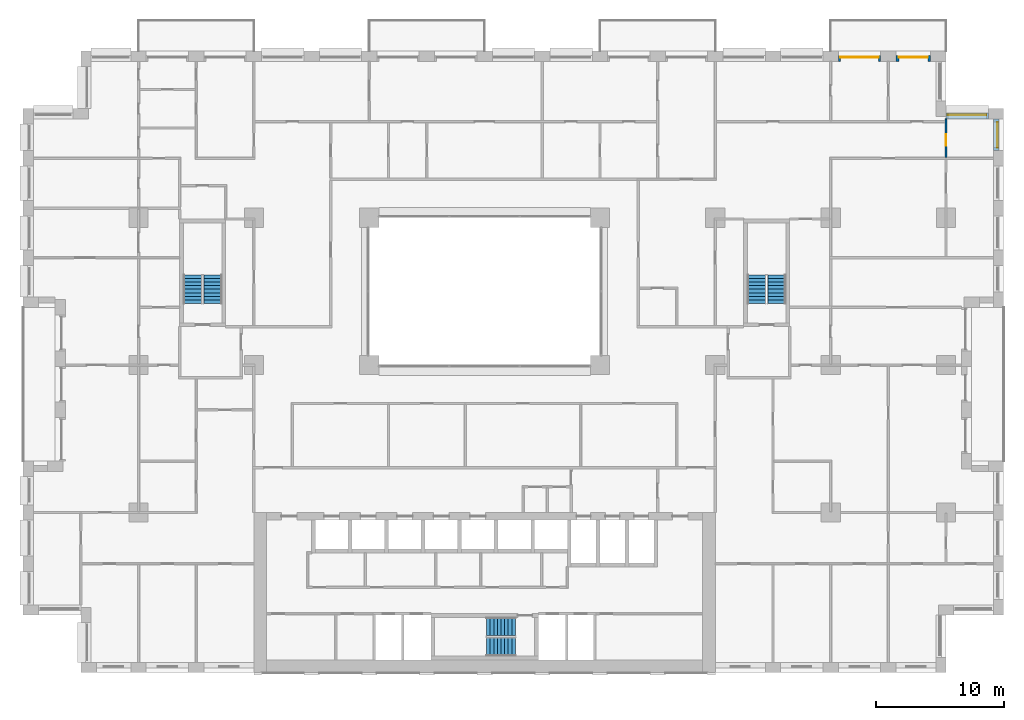
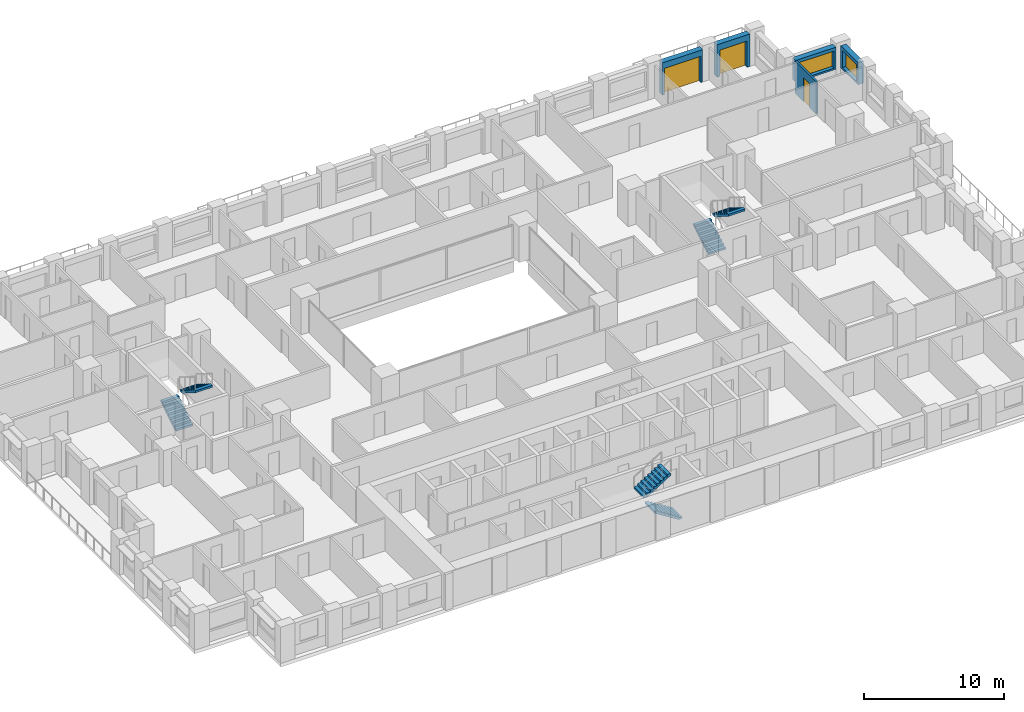
# One storey, part 17 of 19: 6 stair flights, 5 walls, 3 doors, 2 windows, 5 openings, 3 elements without a shape of their own.
"""IFC4 building model written with IfcOpenShell, lengths in metres."""

from ifc_helpers import new_model, si_unit, direction, frame, frame_2d, origin, place, context, subcontext, project, spatial, polyline, rectangle, outline, extrude, material, layer, layer_set, type_object, element, fill, aggregate, save


model = new_model("IFC4")

# Units and contexts
model_context = context("Model", 3, precision=1e-05, world=origin(), true_north=direction((0.0, 1.0)))
body_context = subcontext(model_context, "Body", "Model", "MODEL_VIEW")
ifc_project = project(units=[si_unit("LENGTHUNIT", "METRE"), si_unit("AREAUNIT", "SQUARE_METRE"), si_unit("VOLUMEUNIT", "CUBIC_METRE"), si_unit("PLANEANGLEUNIT", "RADIAN"), si_unit("MASSUNIT", "GRAM", prefix="KILO")], contexts=[model_context])

# Site, building, storey
site_placement = place(None, origin())
site = spatial("IfcSite", under=ifc_project, at=site_placement, CompositionType="ELEMENT")
building_placement = place(site_placement, origin())
building = spatial("IfcBuilding", under=site, at=building_placement, Name="Brigalow Station Residences", CompositionType="ELEMENT")
storey_placement = place(building_placement, frame((0.0, 0.0, 28.949951171875)))
storey = spatial("IfcBuildingStorey", under=building, at=storey_placement, Name="L07", CompositionType="ELEMENT", Elevation=28.949951171875)

# Wall, opening, window
ifc_material_1 = material(Name="Clay brick masonry", Category="masonry")
ifc_layer_1 = layer(ifc_material_1, 0.449951171875)
ifc_layer_set_1 = layer_set([ifc_layer_1], Name="BRICK INFILL WALL 450")
wall_type_1 = type_object("IfcWallType", Name="BRICK INFILL WALL 450", PredefinedType="SOLIDWALL", material=ifc_layer_set_1)
wall_1_placement = place(storey_placement, frame((75.925048828125, 40.72509765625, 0.900146484375), z_axis=(0.0, 0.0, 1.0), x_axis=(0.0, 1.0, 0.0)))
wall_1 = element("IfcWall", 1, at=wall_1_placement, inside=storey, type_object=wall_type_1, Name="L07/ewall/W-L07-22", PredefinedType="SOLIDWALL", context=body_context, shape_type="SweptSolid", body=[
    extrude(rectangle(XDim=2.474853515625, YDim=0.449951171875, at=frame_2d((1.2373046875, 0.0))), origin(), (0.0, 0.0, 1.0), 1.929931640625),
])
opening_1_placement = place(wall_1_placement, frame((0.237548828125, 0.0, 0.14990234375)))
opening_1 = element("IfcOpeningElement", 2, at=opening_1_placement, cuts=wall_1, Name="Opening WT-7", PredefinedType="OPENING", context=body_context, shape_type="SweptSolid", body=[
    extrude(rectangle(XDim=2.0, YDim=1.5, at=frame_2d((1.0, 0.75))), frame((0.0, 0.23486328125, 0.0), z_axis=(0.0, -1.0, 0.0), x_axis=(1.0, 0.0, 0.0)), (0.0, 0.0, 1.0), 0.469970703125),
])
ifc_material_2 = material(Name="Anodised aluminium frame with double glazing", Category="aluminium")
window_type_1 = type_object("IfcWindowType", Name="WINDOW 2000x1500", PartitioningType="SINGLE_PANEL", PredefinedType="WINDOW", material=ifc_material_2)
window_1_placement = place(opening_1_placement, origin())
window_1 = element("IfcWindow", 3, at=window_1_placement, inside=storey, type_object=window_type_1, Name="L07/window/W-L07-22", OverallHeight=1.5, OverallWidth=2.0, PartitioningType="SINGLE_PANEL", PredefinedType="WINDOW", context=body_context, shape_type="SweptSolid", body=[
    extrude(rectangle(XDim=2.0, YDim=1.5, at=frame_2d((1.0, 0.75))), frame((0.0, -0.06494140625, 0.0), z_axis=(0.0, -1.0, 0.0), x_axis=(1.0, 0.0, 0.0)), (0.0, 0.0, 1.0), 0.06005859375),
])
fill(opening_1, window_1)

wall_2_placement = place(storey_placement, frame((75.300048828125, 43.425048828125, 0.900146484375), z_axis=(0.0, 0.0, 1.0), x_axis=(-1.0, 0.0, 0.0)))
wall_2 = element("IfcWall", 4, at=wall_2_placement, inside=storey, type_object=wall_type_1, Name="L07/ewall/W-L07-23", PredefinedType="SOLIDWALL", context=body_context, shape_type="SweptSolid", body=[
    extrude(rectangle(XDim=3.300048828125, YDim=0.449951171875, at=frame_2d((1.64990234375, 0.0))), origin(), (0.0, 0.0, 1.0), 1.929931640625),
])
opening_2_placement = place(wall_2_placement, frame((0.14990234375, 0.0, 0.14990234375)))
opening_2 = element("IfcOpeningElement", 5, at=opening_2_placement, cuts=wall_2, Name="Opening WT-2", PredefinedType="OPENING", context=body_context, shape_type="SweptSolid", body=[
    extrude(rectangle(XDim=3.0, YDim=1.5, at=frame_2d((1.5, 0.75))), frame((0.0, 0.23486328125, 0.0), z_axis=(0.0, -1.0, 0.0), x_axis=(1.0, 0.0, 0.0)), (0.0, 0.0, 1.0), 0.469970703125),
])
ifc_material_3 = material(Name="Anodised aluminium frame with double glazing", Category="aluminium")
window_type_2 = type_object("IfcWindowType", Name="WINDOW 3000x1500", PartitioningType="SINGLE_PANEL", PredefinedType="WINDOW", material=ifc_material_3)
window_2_placement = place(opening_2_placement, origin())
window_2 = element("IfcWindow", 6, at=window_2_placement, inside=storey, type_object=window_type_2, Name="L07/window/W-L07-23", OverallHeight=1.5, OverallWidth=3.0, PartitioningType="SINGLE_PANEL", PredefinedType="WINDOW", context=body_context, shape_type="SweptSolid", body=[
    extrude(rectangle(XDim=3.0, YDim=1.5, at=frame_2d((1.5, 0.75))), frame((0.0, -0.06494140625, 0.0), z_axis=(0.0, -1.0, 0.0), x_axis=(1.0, 0.0, 0.0)), (0.0, 0.0, 1.0), 0.06005859375),
])
fill(opening_2, window_2)

# Wall, opening, door
wall_3_placement = place(storey_placement, frame((70.800048828125, 47.925048828125, 0.0), z_axis=(0.0, 0.0, 1.0), x_axis=(-1.0, 0.0, 0.0)))
wall_3 = element("IfcWall", 7, at=wall_3_placement, inside=storey, type_object=wall_type_1, Name="L07/ewall/W-L07-25", PredefinedType="SOLIDWALL", context=body_context, shape_type="SweptSolid", body=[
    extrude(rectangle(XDim=2.699951171875, YDim=0.449951171875, at=frame_2d((1.35009765625, 0.0))), origin(), (0.0, 0.0, 1.0), 2.830078125),
])
opening_3_placement = place(wall_3_placement, frame((0.22509765625, 0.0, 0.0)))
opening_3 = element("IfcOpeningElement", 8, at=opening_3_placement, cuts=wall_3, Name="Opening D-B2250", PredefinedType="OPENING", context=body_context, shape_type="SweptSolid", body=[
    extrude(rectangle(XDim=2.25, YDim=2.300048828125, at=frame_2d((1.125, 1.14990234375))), frame((0.0, 0.23486328125, 0.0), z_axis=(0.0, -1.0, 0.0), x_axis=(1.0, 0.0, 0.0)), (0.0, 0.0, 1.0), 0.469970703125),
])
ifc_material_4 = material(Name="Anodised aluminium frame with double glazing", Category="aluminium")
door_type_1 = type_object("IfcDoorType", Name="BALCONY SLIDING DOOR 2250x2300", OperationType="SLIDING_TO_LEFT", PredefinedType="DOOR", material=ifc_material_4)
door_1_placement = place(opening_3_placement, origin())
door_1 = element("IfcDoor", 9, at=door_1_placement, inside=storey, type_object=door_type_1, Name="L07/balcony-door/W-L07-25", OperationType="SLIDING_TO_LEFT", OverallHeight=2.300048828125, OverallWidth=2.25, PredefinedType="DOOR", context=body_context, shape_type="SweptSolid", body=[
    extrude(rectangle(XDim=2.25, YDim=2.300048828125, at=frame_2d((1.125, 1.14990234375))), frame((0.0, -0.06982421875, 0.0), z_axis=(0.0, -1.0, 0.0), x_axis=(1.0, 0.0, 0.0)), (0.0, 0.0, 1.0), 0.050048828125),
])
fill(opening_3, door_1)

wall_4_placement = place(storey_placement, frame((66.89990234375, 47.925048828125, 0.0), z_axis=(0.0, 0.0, 1.0), x_axis=(-1.0, 0.0, 0.0)))
wall_4 = element("IfcWall", 10, at=wall_4_placement, inside=storey, type_object=wall_type_1, Name="L07/ewall/W-L07-26", PredefinedType="SOLIDWALL", context=body_context, shape_type="SweptSolid", body=[
    extrude(rectangle(XDim=3.2998046875, YDim=0.449951171875, at=frame_2d((1.64990234375, 0.0))), origin(), (0.0, 0.0, 1.0), 2.830078125),
])
opening_4_placement = place(wall_4_placement, frame((0.14990234375, 0.0, 0.0)))
opening_4 = element("IfcOpeningElement", 11, at=opening_4_placement, cuts=wall_4, Name="Opening D-B3000", PredefinedType="OPENING", context=body_context, shape_type="SweptSolid", body=[
    extrude(rectangle(XDim=3.0, YDim=2.300048828125, at=frame_2d((1.5, 1.14990234375))), frame((0.0, 0.23486328125, 0.0), z_axis=(0.0, -1.0, 0.0), x_axis=(1.0, 0.0, 0.0)), (0.0, 0.0, 1.0), 0.469970703125),
])
ifc_material_5 = material(Name="Anodised aluminium frame with double glazing", Category="aluminium")
door_type_2 = type_object("IfcDoorType", Name="BALCONY SLIDING DOOR 3000x2300", OperationType="SLIDING_TO_LEFT", PredefinedType="DOOR", material=ifc_material_5)
door_2_placement = place(opening_4_placement, origin())
door_2 = element("IfcDoor", 12, at=door_2_placement, inside=storey, type_object=door_type_2, Name="L07/balcony-door/W-L07-26", OperationType="SLIDING_TO_LEFT", OverallHeight=2.300048828125, OverallWidth=3.0, PredefinedType="DOOR", context=body_context, shape_type="SweptSolid", body=[
    extrude(rectangle(XDim=3.0, YDim=2.300048828125, at=frame_2d((1.5, 1.14990234375))), frame((0.0, -0.06982421875, 0.0), z_axis=(0.0, -1.0, 0.0), x_axis=(1.0, 0.0, 0.0)), (0.0, 0.0, 1.0), 0.050048828125),
])
fill(opening_4, door_2)

ifc_material_6 = material(Name="Plasterboard on steel stud partition", Category="steel")
ifc_layer_2 = layer(ifc_material_6, 0.14990234375)
ifc_layer_set_2 = layer_set([ifc_layer_2], Name="FLAT PARTITION 150")
wall_type_2 = type_object("IfcWallType", Name="FLAT PARTITION 150", PredefinedType="PARTITIONING", material=ifc_layer_set_2)
wall_5_placement = place(storey_placement, frame((72.0, 40.199951171875, 0.0), z_axis=(0.0, 0.0, 1.0), x_axis=(0.0, 1.0, 0.0)))
wall_5 = element("IfcWall", 13, at=wall_5_placement, inside=storey, type_object=wall_type_2, Name="PW-1B76", PredefinedType="PARTITIONING", context=body_context, shape_type="SweptSolid", body=[
    extrude(rectangle(XDim=3.0, YDim=0.14990234375, at=frame_2d((1.5, 0.0))), origin(), (0.0, 0.0, 1.0), 2.830078125),
])
opening_5_placement = place(wall_5_placement, frame((0.912109375, 0.0, 0.0)))
opening_5 = element("IfcOpeningElement", 14, at=opening_5_placement, cuts=wall_5, Name="Opening D-1B46", PredefinedType="OPENING", context=body_context, shape_type="SweptSolid", body=[
    extrude(rectangle(XDim=0.89990234375, YDim=2.10009765625, at=frame_2d((0.449951171875, 1.050048828125))), frame((0.0, 0.0849609375, 0.0), z_axis=(0.0, -1.0, 0.0), x_axis=(1.0, 0.0, 0.0)), (0.0, 0.0, 1.0), 0.169921875),
])
ifc_material_7 = material(Name="Solid-core timber door leaf", Category="wood")
door_type_3 = type_object("IfcDoorType", Name="INTERNAL DOOR 900 x 2100", OperationType="SINGLE_SWING_LEFT", PredefinedType="DOOR", material=ifc_material_7)
door_3_placement = place(opening_5_placement, frame((0.89990234375, 0.0, 0.0), z_axis=(0.0, 0.0, 1.0), x_axis=(-1.0, 0.0, 0.0)))
door_3 = element("IfcDoor", 15, at=door_3_placement, inside=storey, type_object=door_type_3, Name="D-1B46", OperationType="SINGLE_SWING_RIGHT", OverallHeight=2.10009765625, OverallWidth=0.89990234375, PredefinedType="DOOR", context=body_context, shape_type="SweptSolid", body=[
    extrude(rectangle(XDim=0.89990234375, YDim=2.10009765625, at=frame_2d((0.449951171875, 1.050048828125))), frame((0.0, 0.02490234375, 0.0), z_axis=(0.0, -1.0, 0.0), x_axis=(1.0, 0.0, 0.0)), (0.0, 0.0, 1.0), 0.050048828125),
])
fill(opening_5, door_3)

# Stair, stair flights
ifc_material_8 = material(Name="Concrete C50", Category="concrete")
stair_type = type_object("IfcStairType", Name="EXIT STAIR 1400 2 FLIGHT", PredefinedType="HALF_TURN_STAIR", material=ifc_material_8)
stair_1_placement = place(storey_placement, origin())
stair_1 = element("IfcStair", 16, at=stair_1_placement, inside=storey, type_object=stair_type, Name="EXIT STAIR S2 L07", PredefinedType="HALF_TURN_STAIR")
ifc_material_9 = material(Name="Concrete C50", Category="concrete")
stair_flight_type = type_object("IfcStairFlightType", Name="STAIR FLIGHT 1400", PredefinedType="STRAIGHT", material=ifc_material_9)
stair_flight_1_placement = place(storey_placement, frame((38.39990234375, 2.0, 0.0), z_axis=(0.0, 0.0, 1.0), x_axis=(-1.0, 0.0, 0.0)))
stair_flight_1 = element("IfcStairFlight", 17, at=stair_flight_1_placement, type_object=stair_flight_type, Name="ST-2 flight 1", NumberOfRisers=9, NumberOfTreads=8, PredefinedType="STRAIGHT", RiserHeight=0.175, TreadLength=0.28, context=body_context, shape_type="SweptSolid", body=[
    extrude(outline(polyline([(0.0, 0.0), (0.0, 0.175048828125), (0.280029296875, 0.175048828125), (0.280029296875, 0.35009765625), (0.56005859375, 0.35009765625), (0.56005859375, 0.52490234375), (0.840087890625, 0.52490234375), (0.840087890625, 0.699951171875), (1.1201171875, 0.699951171875), (1.1201171875, 0.875), (1.39990234375, 0.875), (1.39990234375, 1.050048828125), (1.679931640625, 1.050048828125), (1.679931640625, 1.22509765625), (1.9599609375, 1.22509765625), (1.9599609375, 1.39990234375), (2.239990234375, 1.39990234375), (2.239990234375, 1.574951171875), (2.239990234375, 1.22314453125), (0.28271484375, 0.0), (0.0, 0.0)])), frame((0.0, 0.699951171875, 0.0), z_axis=(0.0, -1.0, 0.0), x_axis=(1.0, 0.0, 0.0)), (0.0, 0.0, 1.0), 1.39990234375),
])
stair_flight_2_placement = place(storey_placement, frame((36.159912109375, 3.60009765625, 1.574951171875), z_axis=(0.0, 0.0, 1.0), x_axis=(1.0, 0.0, 0.0)))
stair_flight_2 = element("IfcStairFlight", 18, at=stair_flight_2_placement, type_object=stair_flight_type, Name="ST-2 flight 2", NumberOfRisers=9, NumberOfTreads=8, PredefinedType="STRAIGHT", RiserHeight=0.175, TreadLength=0.28, context=body_context, shape_type="SweptSolid", body=[
    extrude(outline(polyline([(0.0, 0.0), (0.0, 0.175048828125), (0.280029296875, 0.175048828125), (0.280029296875, 0.35009765625), (0.56005859375, 0.35009765625), (0.56005859375, 0.52490234375), (0.840087890625, 0.52490234375), (0.840087890625, 0.699951171875), (1.1201171875, 0.699951171875), (1.1201171875, 0.875), (1.39990234375, 0.875), (1.39990234375, 1.050048828125), (1.679931640625, 1.050048828125), (1.679931640625, 1.22509765625), (1.9599609375, 1.22509765625), (1.9599609375, 1.39990234375), (2.239990234375, 1.39990234375), (2.239990234375, 1.574951171875), (2.239990234375, 1.22314453125), (0.28271484375, 0.0), (0.0, 0.0)])), frame((0.0, 0.699951171875, 0.0), z_axis=(0.0, -1.0, 0.0), x_axis=(1.0, 0.0, 0.0)), (0.0, 0.0, 1.0), 1.39990234375),
])
aggregate(stair_1, [stair_flight_1, stair_flight_2])

stair_2_placement = place(storey_placement, origin())
stair_2 = element("IfcStair", 19, at=stair_2_placement, inside=storey, type_object=stair_type, Name="EXIT STAIR S1 L07", PredefinedType="HALF_TURN_STAIR")
stair_flight_3_placement = place(storey_placement, frame((13.199951171875, 28.800048828125, 0.0), z_axis=(0.0, 0.0, 1.0), x_axis=(0.0, 1.0, 0.0)))
stair_flight_3 = element("IfcStairFlight", 20, at=stair_flight_3_placement, type_object=stair_flight_type, Name="ST-1 flight 1", NumberOfRisers=9, NumberOfTreads=8, PredefinedType="STRAIGHT", RiserHeight=0.175, TreadLength=0.28, context=body_context, shape_type="SweptSolid", body=[
    extrude(outline(polyline([(0.0, 0.0), (0.0, 0.175048828125), (0.280029296875, 0.175048828125), (0.280029296875, 0.35009765625), (0.56005859375, 0.35009765625), (0.56005859375, 0.52490234375), (0.840087890625, 0.52490234375), (0.840087890625, 0.699951171875), (1.1201171875, 0.699951171875), (1.1201171875, 0.875), (1.39990234375, 0.875), (1.39990234375, 1.050048828125), (1.679931640625, 1.050048828125), (1.679931640625, 1.22509765625), (1.9599609375, 1.22509765625), (1.9599609375, 1.39990234375), (2.239990234375, 1.39990234375), (2.239990234375, 1.574951171875), (2.239990234375, 1.22314453125), (0.28271484375, 0.0), (0.0, 0.0)])), frame((0.0, 0.699951171875, 0.0), z_axis=(0.0, -1.0, 0.0), x_axis=(1.0, 0.0, 0.0)), (0.0, 0.0, 1.0), 1.39990234375),
])
stair_flight_4_placement = place(storey_placement, frame((14.800048828125, 31.0400390625, 1.574951171875), z_axis=(0.0, 0.0, 1.0), x_axis=(0.0, -1.0, 0.0)))
stair_flight_4 = element("IfcStairFlight", 21, at=stair_flight_4_placement, type_object=stair_flight_type, Name="ST-1 flight 2", NumberOfRisers=9, NumberOfTreads=8, PredefinedType="STRAIGHT", RiserHeight=0.175, TreadLength=0.28, context=body_context, shape_type="SweptSolid", body=[
    extrude(outline(polyline([(0.0, 0.0), (0.0, 0.175048828125), (0.280029296875, 0.175048828125), (0.280029296875, 0.35009765625), (0.56005859375, 0.35009765625), (0.56005859375, 0.52490234375), (0.840087890625, 0.52490234375), (0.840087890625, 0.699951171875), (1.1201171875, 0.699951171875), (1.1201171875, 0.875), (1.39990234375, 0.875), (1.39990234375, 1.050048828125), (1.679931640625, 1.050048828125), (1.679931640625, 1.22509765625), (1.9599609375, 1.22509765625), (1.9599609375, 1.39990234375), (2.239990234375, 1.39990234375), (2.239990234375, 1.574951171875), (2.239990234375, 1.22314453125), (0.28271484375, 0.0), (0.0, 0.0)])), frame((0.0, 0.699951171875, 0.0), z_axis=(0.0, -1.0, 0.0), x_axis=(1.0, 0.0, 0.0)), (0.0, 0.0, 1.0), 1.39990234375),
])
aggregate(stair_2, [stair_flight_3, stair_flight_4])

stair_3_placement = place(storey_placement, origin())
stair_3 = element("IfcStair", 22, at=stair_3_placement, inside=storey, type_object=stair_type, Name="EXIT STAIR S3 L07", PredefinedType="HALF_TURN_STAIR")
stair_flight_5_placement = place(storey_placement, frame((57.199951171875, 28.800048828125, 0.0), z_axis=(0.0, 0.0, 1.0), x_axis=(0.0, 1.0, 0.0)))
stair_flight_5 = element("IfcStairFlight", 23, at=stair_flight_5_placement, type_object=stair_flight_type, Name="ST-3 flight 1", NumberOfRisers=9, NumberOfTreads=8, PredefinedType="STRAIGHT", RiserHeight=0.175, TreadLength=0.28, context=body_context, shape_type="SweptSolid", body=[
    extrude(outline(polyline([(0.0, 0.0), (0.0, 0.175048828125), (0.280029296875, 0.175048828125), (0.280029296875, 0.35009765625), (0.56005859375, 0.35009765625), (0.56005859375, 0.52490234375), (0.840087890625, 0.52490234375), (0.840087890625, 0.699951171875), (1.1201171875, 0.699951171875), (1.1201171875, 0.875), (1.39990234375, 0.875), (1.39990234375, 1.050048828125), (1.679931640625, 1.050048828125), (1.679931640625, 1.22509765625), (1.9599609375, 1.22509765625), (1.9599609375, 1.39990234375), (2.239990234375, 1.39990234375), (2.239990234375, 1.574951171875), (2.239990234375, 1.22314453125), (0.28271484375, 0.0), (0.0, 0.0)])), frame((0.0, 0.699951171875, 0.0), z_axis=(0.0, -1.0, 0.0), x_axis=(1.0, 0.0, 0.0)), (0.0, 0.0, 1.0), 1.39990234375),
])
stair_flight_6_placement = place(storey_placement, frame((58.800048828125, 31.0400390625, 1.574951171875), z_axis=(0.0, 0.0, 1.0), x_axis=(0.0, -1.0, 0.0)))
stair_flight_6 = element("IfcStairFlight", 24, at=stair_flight_6_placement, type_object=stair_flight_type, Name="ST-3 flight 2", NumberOfRisers=9, NumberOfTreads=8, PredefinedType="STRAIGHT", RiserHeight=0.175, TreadLength=0.28, context=body_context, shape_type="SweptSolid", body=[
    extrude(outline(polyline([(0.0, 0.0), (0.0, 0.175048828125), (0.280029296875, 0.175048828125), (0.280029296875, 0.35009765625), (0.56005859375, 0.35009765625), (0.56005859375, 0.52490234375), (0.840087890625, 0.52490234375), (0.840087890625, 0.699951171875), (1.1201171875, 0.699951171875), (1.1201171875, 0.875), (1.39990234375, 0.875), (1.39990234375, 1.050048828125), (1.679931640625, 1.050048828125), (1.679931640625, 1.22509765625), (1.9599609375, 1.22509765625), (1.9599609375, 1.39990234375), (2.239990234375, 1.39990234375), (2.239990234375, 1.574951171875), (2.239990234375, 1.22314453125), (0.28271484375, 0.0), (0.0, 0.0)])), frame((0.0, 0.699951171875, 0.0), z_axis=(0.0, -1.0, 0.0), x_axis=(1.0, 0.0, 0.0)), (0.0, 0.0, 1.0), 1.39990234375),
])
aggregate(stair_3, [stair_flight_5, stair_flight_6])

save(model, "model.ifc")
